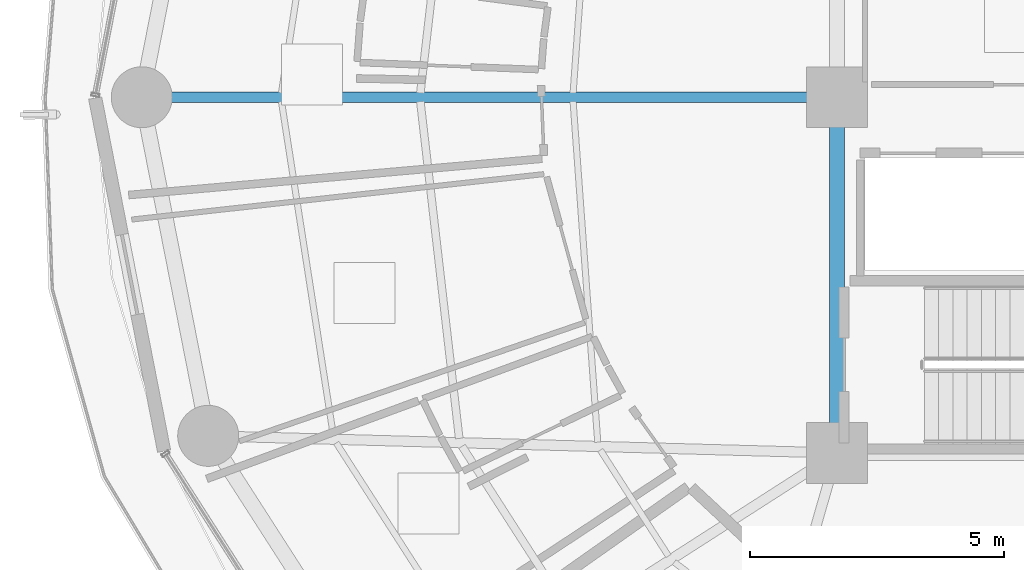
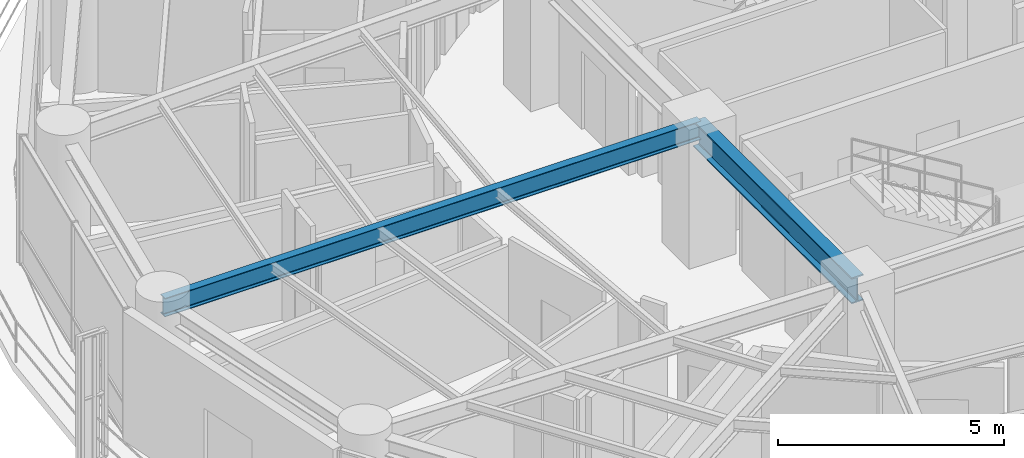
# One storey, part 7 of 27: 2 beams.
"""IFC4 building model written with IfcOpenShell, lengths in metres."""

from ifc_helpers import new_model, si_unit, direction, frame, origin, origin_2d, place, context, subcontext, project, spatial, i_section, extrude, material, material_profile, profile_set, type_object, element, save


model = new_model("IFC4")

# Units and contexts
model_context = context("Model", 3, precision=1e-05, world=origin(), true_north=direction((0.0, 1.0)))
body_context = subcontext(model_context, "Body", "Model", "MODEL_VIEW")
ifc_project = project(units=[si_unit("LENGTHUNIT", "METRE"), si_unit("AREAUNIT", "SQUARE_METRE"), si_unit("VOLUMEUNIT", "CUBIC_METRE"), si_unit("PLANEANGLEUNIT", "RADIAN"), si_unit("MASSUNIT", "GRAM", prefix="KILO")], contexts=[model_context])

# Site, building, storey
site_placement = place(None, origin())
site = spatial("IfcSite", under=ifc_project, at=site_placement, CompositionType="ELEMENT")
building_placement = place(site_placement, origin())
building = spatial("IfcBuilding", under=site, at=building_placement, Name="Kelanora Arch Commons", CompositionType="ELEMENT")
storey_placement = place(building_placement, frame((0.0, 0.0, 169.35009765625)))
storey = spatial("IfcBuildingStorey", under=building, at=storey_placement, Name="L43", CompositionType="ELEMENT", Elevation=169.35009765625)

# Beams
ifc_material = material(Name="Steel S355", Category="steel")
ifc_material_profile_1 = material_profile(ifc_material, i_section(OverallWidth=0.300048828125, OverallDepth=0.699951171875, WebThickness=0.01708984375, FlangeThickness=0.031982421875, FilletRadius=0.027099609375, at=origin_2d()), Name="HEB700")
ifc_profile_set_1 = profile_set([ifc_material_profile_1], Name="Steel S355")
beam_type_1 = type_object("IfcBeamType", Name="BM-CORE-HDR", PredefinedType="BEAM", material=ifc_profile_set_1)
beam_1_placement = place(storey_placement, frame((66.0, 58.0, 3.139892578125), z_axis=(0.0, -1.0, 0.0), x_axis=(1.0, 0.0, 0.0)))
element("IfcBeam", 1, at=beam_1_placement, inside=storey, type_object=beam_type_1, Name="Core Header Beam 09 L43", PredefinedType="BEAM", context=body_context, shape_type="SweptSolid", body=[
    extrude(i_section(OverallWidth=0.300048828125, OverallDepth=0.699951171875, WebThickness=0.01708984375, FlangeThickness=0.031982421875, FilletRadius=0.027099609375, at=origin_2d()), origin(), (0.0, 0.0, 1.0), 7.0),
])
ifc_material_profile_2 = material_profile(ifc_material, i_section(OverallWidth=0.199951171875, OverallDepth=0.5, WebThickness=0.01025390625, FlangeThickness=0.01611328125, FilletRadius=0.02099609375, at=origin_2d()), Name="IPE500")
ifc_profile_set_2 = profile_set([ifc_material_profile_2], Name="Steel S355")
beam_type_2 = type_object("IfcBeamType", Name="BM-RAD-Z3", PredefinedType="BEAM", material=ifc_profile_set_2)
beam_2_placement = place(storey_placement, frame((66.0, 58.0, 3.239990234375), z_axis=(-1.0, 0.0, 0.0), x_axis=(0.0, -1.0, 0.0)))
element("IfcBeam", 2, at=beam_2_placement, inside=storey, type_object=beam_type_2, Name="Radial Floor Girder BR-18 L43", PredefinedType="BEAM", context=body_context, shape_type="SweptSolid", body=[
    extrude(i_section(OverallWidth=0.199951171875, OverallDepth=0.5, WebThickness=0.01025390625, FlangeThickness=0.01611328125, FilletRadius=0.02099609375, at=origin_2d()), origin(), (0.0, 0.0, 1.0), 13.679931640625),
])

save(model, "model.ifc")
